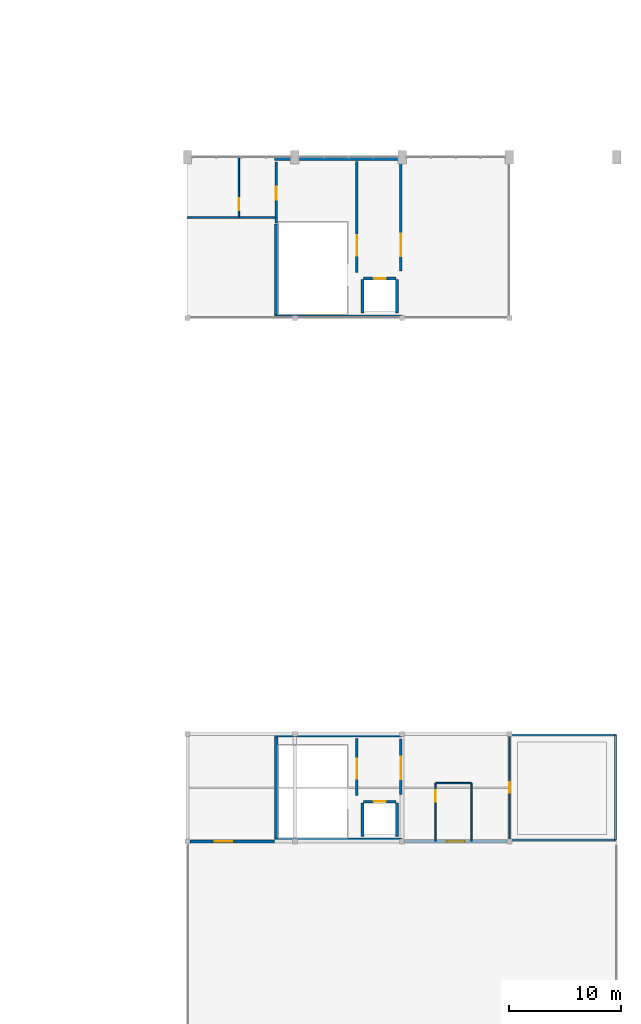
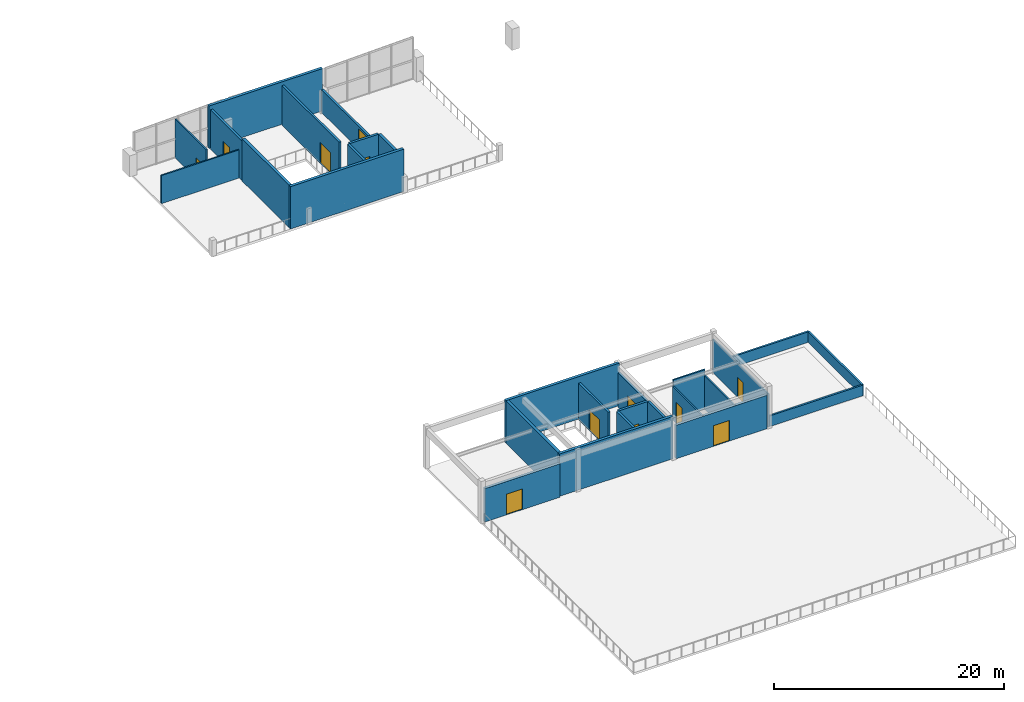
# One storey, part 16 of 22: 28 walls, 12 doors, 12 openings.
"""IFC4 building model written with IfcOpenShell, lengths in metres."""

import ifcopenshell
import ifcopenshell.guid

model = None  # the IFC model being written
_history = None  # IfcOwnerHistory: only IFC2X3 demands one
_inside = {}  # id of a spatial element -> (the spatial element, [elements in it])
_under = {}  # id of a project, library or spatial element -> (it, [spatial elements below it])
_declared = {}  # id of a project -> (the project, [libraries it declares])
_typed = {}  # id of a type object -> (the type object, [elements of that type])
_made_of = {}  # id of a material, layer set ... -> (it, [elements and type objects made of it])


def new_model(schema):
    """Start an empty IFC model of exactly this schema.

    Asked for "IFC4X3", IfcOpenShell would pick the latest addendum, in which some entities
    have other attributes; the version numbers below select the first issue.
    IFC2X3 requires an IfcOwnerHistory on every rooted entity: one is made here for all.
    """
    global model, _history
    if schema == "IFC4X3":
        model = ifcopenshell.file(schema_version=(4, 3, 0, 0))
    else:
        model = ifcopenshell.file(schema=schema)
    _inside.clear()
    _under.clear()
    _declared.clear()
    _typed.clear()
    _made_of.clear()
    _history = None
    if model.schema == "IFC2X3":
        org = make("IfcOrganization", Name="unknown")
        user = make(
            "IfcPersonAndOrganization",
            ThePerson=make("IfcPerson", FamilyName="unknown"),
            TheOrganization=org,
        )
        app = make(
            "IfcApplication",
            ApplicationDeveloper=org,
            Version="unknown",
            ApplicationFullName="unknown",
            ApplicationIdentifier="unknown",
        )
        _history = make(
            "IfcOwnerHistory",
            OwningUser=user,
            OwningApplication=app,
            ChangeAction="ADDED",
            CreationDate=0,
        )
    return model


def make(cls, **values):
    """One entity of the class cls with the attributes given. An attribute that is None is left unset."""
    return model.create_entity(
        cls, **{name: value for name, value in values.items() if value is not None}
    )


def rooted(cls, **values):
    """An entity with a GlobalId (a new one), such as an element, a storey or a relation."""
    return make(cls, GlobalId=ifcopenshell.guid.new(), OwnerHistory=_history, **values)


def si_unit(unit_type, name, prefix=None):
    """IfcSIUnit, for example si_unit("LENGTHUNIT", "METRE", prefix="MILLI")."""
    return make("IfcSIUnit", UnitType=unit_type, Prefix=prefix, Name=name)


def assignment(units):
    """IfcUnitAssignment: the units of a project."""
    return None if units is None else make("IfcUnitAssignment", Units=units)


def point(xyz):
    """IfcCartesianPoint."""
    return None if xyz is None else make("IfcCartesianPoint", Coordinates=xyz)


def direction(xyz):
    """IfcDirection."""
    return None if xyz is None else make("IfcDirection", DirectionRatios=xyz)


def frame(location, z_axis=None, x_axis=None):
    """IfcAxis2Placement3D, a coordinate frame: its origin and axes. An axis left out is left unset."""
    return make(
        "IfcAxis2Placement3D",
        Location=point(location),
        Axis=direction(z_axis),
        RefDirection=direction(x_axis),
    )


def frame_2d(location, x_axis=None):
    """IfcAxis2Placement2D, a coordinate frame in the plane: its origin and x axis."""
    return make(
        "IfcAxis2Placement2D", Location=point(location), RefDirection=direction(x_axis)
    )


def origin():
    """The frame at (0, 0, 0) with its axes left unset."""
    return frame((0.0, 0.0, 0.0))


def place(relative_to, where):
    """IfcLocalPlacement: puts the frame where relative to a parent placement (None: the world)."""
    return make(
        "IfcLocalPlacement", PlacementRelTo=relative_to, RelativePlacement=where
    )


def context(
    kind, dimensions, precision=None, world=None, true_north=None, identifier=None
):
    """IfcGeometricRepresentationContext, for example the 3D "Model" context."""
    return make(
        "IfcGeometricRepresentationContext",
        ContextIdentifier=identifier,
        ContextType=kind,
        CoordinateSpaceDimension=dimensions,
        Precision=precision,
        WorldCoordinateSystem=world,
        TrueNorth=true_north,
    )


def subcontext(parent, identifier, kind, view, scale=None):
    """IfcGeometricRepresentationSubContext, for example "Body" below "Model"."""
    return make(
        "IfcGeometricRepresentationSubContext",
        ContextIdentifier=identifier,
        ContextType=kind,
        ParentContext=parent,
        TargetScale=scale,
        TargetView=view,
    )


def project(units=None, contexts=None):
    """IfcProject with its units and contexts."""
    return rooted(
        "IfcProject",
        Name="project",
        RepresentationContexts=contexts,
        UnitsInContext=assignment(units),
    )


def spatial(cls, under=None, at=None, **own):
    """A site, building, storey or space (cls), placed at a placement, below another one or the project."""
    s = rooted(cls, ObjectPlacement=at, **own)
    if under is not None:
        _under.setdefault(under.id(), (under, []))[1].append(s)
    return s


def profile(cls, at=None, kind="AREA", **sizes):
    """A parametric profile (cls). Its sizes go by their IFC names, for example OverallWidth=200.0."""
    return make(cls, ProfileType=kind, Position=at, **sizes)


def rectangle(**sizes):
    """IfcRectangleProfileDef."""
    return profile("IfcRectangleProfileDef", **sizes)


def extrude(swept, where, along, depth):
    """IfcExtrudedAreaSolid: the profile swept, set in the frame where, extruded along a direction by depth."""
    return make(
        "IfcExtrudedAreaSolid",
        SweptArea=swept,
        Position=where,
        ExtrudedDirection=direction(along),
        Depth=depth,
    )


def shape(context_of_items, identifier, shape_type, items):
    """IfcShapeRepresentation: the items that make up one representation, for example the "Body"."""
    return make(
        "IfcShapeRepresentation",
        ContextOfItems=context_of_items,
        RepresentationIdentifier=identifier,
        RepresentationType=shape_type,
        Items=items,
    )


def material(Name=None, Category=None):
    """IfcMaterial."""
    return make("IfcMaterial", Name=Name, Category=Category)


def layer(
    of_material, thickness, ventilated=None, Name=None, Category=None, Priority=None
):
    """IfcMaterialLayer: one layer of a wall or slab, of a material (None: an air gap)."""
    return make(
        "IfcMaterialLayer",
        Material=of_material,
        LayerThickness=thickness,
        IsVentilated=ventilated,
        Name=Name,
        Category=Category,
        Priority=Priority,
    )


def layer_set(layers, Name=None):
    """IfcMaterialLayerSet."""
    return make("IfcMaterialLayerSet", MaterialLayers=layers, LayerSetName=Name)


def made_of(thing, what):
    """Note that an element or type object is made of a material, layer set ...; save() writes the relation."""
    if what is not None:
        _made_of.setdefault(what.id(), (what, []))[1].append(thing)
    return thing


def type_object(cls, material=None, **own):
    """A type object (cls), such as IfcWallType, which elements share."""
    return made_of(rooted(cls, **own), material)


def element(
    cls,
    number,
    at=None,
    inside=None,
    cuts=None,
    type_object=None,
    material=None,
    context=None,
    identifier="Body",
    shape_type=None,
    held_by="IfcProductDefinitionShape",
    body=None,
    shapes=None,
    **own,
):
    """One element of the class cls, such as IfcWall. Its Tag is "e" and its number.

    at: its placement. inside: the storey or other place that contains it. cuts: it is an
    opening in that element (IfcRelVoidsElement). A single representation is given by context,
    identifier, shape_type and body (its items); several are given by shapes. held_by: the class
    of the entity that holds the representations. save() writes the other relations.
    """
    e = rooted(cls, Tag="e%d" % number, ObjectPlacement=at, **own)
    if body is not None:
        shapes = [shape(context, identifier, shape_type, body)]
    if shapes is not None:
        e.Representation = make(held_by, Representations=shapes)
    if inside is not None:
        _inside.setdefault(inside.id(), (inside, []))[1].append(e)
    if cuts is not None:
        rooted(
            "IfcRelVoidsElement", RelatingBuildingElement=cuts, RelatedOpeningElement=e
        )
    if type_object is not None:
        _typed.setdefault(type_object.id(), (type_object, []))[1].append(e)
    return made_of(e, material)


def fill(opening, filler):
    """IfcRelFillsElement: the door or window that sits in an opening."""
    return rooted(
        "IfcRelFillsElement",
        RelatingOpeningElement=opening,
        RelatedBuildingElement=filler,
    )


def aggregate(whole, parts):
    """IfcRelAggregates: a whole, such as a stair, and the parts it consists of."""
    return rooted("IfcRelAggregates", RelatingObject=whole, RelatedObjects=parts)


def save(model, path):
    """Write the relations noted so far, then the file.

    IfcRelAggregates (storeys below a building ...), IfcRelContainedInSpatialStructure (elements
    in a storey), IfcRelDefinesByType, IfcRelAssociatesMaterial and IfcRelDeclares: one each for
    every whole, place, type object, material and project.
    """
    for whole, parts in _under.values():
        aggregate(whole, parts)
    for where, things in _inside.values():
        rooted(
            "IfcRelContainedInSpatialStructure",
            RelatedElements=things,
            RelatingStructure=where,
        )
    for kind, things in _typed.values():
        rooted("IfcRelDefinesByType", RelatedObjects=things, RelatingType=kind)
    for what, things in _made_of.values():
        rooted("IfcRelAssociatesMaterial", RelatedObjects=things, RelatingMaterial=what)
    for by, libraries in _declared.values():
        rooted("IfcRelDeclares", RelatingContext=by, RelatedDefinitions=libraries)
    model.write(path)


model = new_model("IFC4")

# Units and contexts
model_context = context("Model", 3, precision=1e-05, world=origin(), true_north=direction((0.0, 1.0)))
body_context = subcontext(model_context, "Body", "Model", "MODEL_VIEW")
ifc_project = project(units=[si_unit("LENGTHUNIT", "METRE"), si_unit("AREAUNIT", "SQUARE_METRE"), si_unit("VOLUMEUNIT", "CUBIC_METRE"), si_unit("PLANEANGLEUNIT", "RADIAN"), si_unit("MASSUNIT", "GRAM", prefix="KILO")], contexts=[model_context])

# Site, building, storey
site_placement = place(None, origin())
site = spatial("IfcSite", under=ifc_project, at=site_placement, CompositionType="ELEMENT")
building_placement = place(site_placement, origin())
building = spatial("IfcBuilding", under=site, at=building_placement, Name="Suirenkawa Promenade Aquatics Centre", CompositionType="ELEMENT")
storey_placement = place(building_placement, frame((0.0, 0.0, 14.10009765625)))
storey = spatial("IfcBuildingStorey", under=building, at=storey_placement, Name="L03", CompositionType="ELEMENT", Elevation=14.10009765625)

# Walls
ifc_material_1 = material(Name="Concrete M40", Category="concrete")
ifc_layer_1 = layer(ifc_material_1, 0.280029296875, Name="Concrete M40", Category="concrete")
ifc_layer_set_1 = layer_set([ifc_layer_1], Name="Concrete M40")
wall_type_1 = type_object("IfcWallType", Name="WT-CORE-280", PredefinedType="SHEAR", material=ifc_layer_set_1)
for number, where, z_axis, x_axis, name in (
    (1, (163.800048828125, 86.5400390625, 0.0), (0.0, 0.0, 1.0), (1.0, 0.0, 0.0), "C5 south core wall WL-CORE-02 W-0149"),
    (2, (163.800048828125, 100.659912109375, 0.0), (0.0, 0.0, 1.0), (1.0, 0.0, 0.0), "C5 north core wall WL-CORE-02 W-0150"),
):
    element("IfcWall", number, at=place(storey_placement, frame(where, z_axis=z_axis, x_axis=x_axis)), inside=storey, type_object=wall_type_1, Name=name, PredefinedType="SHEAR", context=body_context, shape_type="SweptSolid", body=[
        extrude(rectangle(XDim=11.39990234375, YDim=0.280029296875, at=frame_2d((5.699951171875, 0.0))), origin(), (0.0, 0.0, 1.0), 4.5),
    ])
wall_1_placement = place(storey_placement, frame((163.93994140625, 86.679931640625, 0.0), z_axis=(0.0, 0.0, 1.0), x_axis=(0.0, 1.0, 0.0)))
element("IfcWall", 3, at=wall_1_placement, inside=storey, type_object=wall_type_1, Name="C5 west core wall WL-CORE-02 W-0151", PredefinedType="SHEAR", context=body_context, shape_type="SweptSolid", body=[
    extrude(rectangle(XDim=8.1201171875, YDim=0.280029296875, at=frame_2d((4.06005859375, 0.0))), origin(), (0.0, 0.0, 1.0), 4.5),
])
for number, where, z_axis, x_axis, name in (
    (4, (163.800048828125, 39.739990234375, 0.0), (0.0, 0.0, 1.0), (1.0, 0.0, 0.0), "C6 south core wall WL-CORE-02 W-0164"),
    (5, (163.800048828125, 49.06005859375, 0.0), (0.0, 0.0, 1.0), (1.0, 0.0, 0.0), "C6 north core wall WL-CORE-02 W-0165"),
):
    element("IfcWall", number, at=place(storey_placement, frame(where, z_axis=z_axis, x_axis=x_axis)), inside=storey, type_object=wall_type_1, Name=name, PredefinedType="SHEAR", context=body_context, shape_type="SweptSolid", body=[
        extrude(rectangle(XDim=11.39990234375, YDim=0.280029296875, at=frame_2d((5.699951171875, 0.0))), origin(), (0.0, 0.0, 1.0), 4.5),
    ])
wall_2_placement = place(storey_placement, frame((163.93994140625, 39.8798828125, 0.0), z_axis=(0.0, 0.0, 1.0), x_axis=(0.0, 1.0, 0.0)))
element("IfcWall", 6, at=wall_2_placement, inside=storey, type_object=wall_type_1, Name="C6 west core wall WL-CORE-02 W-0166", PredefinedType="SHEAR", context=body_context, shape_type="SweptSolid", body=[
    extrude(rectangle(XDim=9.0400390625, YDim=0.280029296875, at=frame_2d((4.52001953125, 0.0))), origin(), (0.0, 0.0, 1.0), 4.5),
])

# Wall, opening, door
ifc_layer_2 = layer(ifc_material_1, 0.27001953125, Name="Concrete M40", Category="concrete")
ifc_layer_set_2 = layer_set([ifc_layer_2], Name="Concrete M40")
wall_type_2 = type_object("IfcWallType", Name="WT-EXT-270", PredefinedType="SOLIDWALL", material=ifc_layer_set_2)
wall_3_placement = place(storey_placement, frame((163.794921875, 39.60009765625, 0.0), z_axis=(0.0, 0.0, 1.0), x_axis=(-1.0, 0.0, 0.0)))
wall_3 = element("IfcWall", 7, at=wall_3_placement, inside=storey, type_object=wall_type_2, Name="Exterior wall WL-EXT-04 W-5051", PredefinedType="SOLIDWALL", context=body_context, shape_type="SweptSolid", body=[
    extrude(rectangle(XDim=7.56494140625, YDim=0.27001953125, at=frame_2d((3.782470703125, 0.0))), origin(), (0.0, 0.0, 1.0), 3.5498046875),
])
opening_1_placement = place(wall_3_placement, frame((3.77001953125, 0.0, 0.0)))
opening_1 = element("IfcOpeningElement", 8, at=opening_1_placement, cuts=wall_3, Name="Opening ED-08", PredefinedType="OPENING", context=body_context, shape_type="SweptSolid", body=[
    extrude(rectangle(XDim=1.60009765625, YDim=2.199951171875, at=frame_2d((0.800048828125, 1.10009765625))), frame((0.0, 0.14501953125, 0.0), z_axis=(0.0, -1.0, 0.0), x_axis=(1.0, 0.0, 0.0)), (0.0, 0.0, 1.0), 0.2900390625),
])
ifc_material_2 = material(Name="Anodised aluminium 6063-T6", Category="aluminium")
door_type_1 = type_object("IfcDoorType", Name="DT-EXT-TERR-1600x2200", OperationType="DOUBLE_DOOR_SINGLE_SWING", PredefinedType="DOOR", material=ifc_material_2)
door_1_placement = place(opening_1_placement, origin())
door_1 = element("IfcDoor", 9, at=door_1_placement, inside=storey, type_object=door_type_1, Name="Exterior door ED-08 DR-EXT-032", OperationType="DOUBLE_DOOR_SINGLE_SWING", OverallHeight=2.199951171875, OverallWidth=1.60009765625, PredefinedType="DOOR", context=body_context, shape_type="SweptSolid", body=[
    extrude(rectangle(XDim=1.60009765625, YDim=2.199951171875, at=frame_2d((0.800048828125, 1.10009765625))), frame((0.0, 0.02490234375, 0.0), z_axis=(0.0, -1.0, 0.0), x_axis=(1.0, 0.0, 0.0)), (0.0, 0.0, 1.0), 0.050048828125),
])
fill(opening_1, door_1)

wall_4_placement = place(storey_placement, frame((184.570068359375, 39.60009765625, 0.0), z_axis=(0.0, 0.0, 1.0), x_axis=(-1.0, 0.0, 0.0)))
wall_4 = element("IfcWall", 10, at=wall_4_placement, inside=storey, type_object=wall_type_2, Name="Exterior wall WL-EXT-04 W-5058", PredefinedType="SOLIDWALL", context=body_context, shape_type="SweptSolid", body=[
    extrude(rectangle(XDim=9.14013671875, YDim=0.27001953125, at=frame_2d((4.570068359375, 0.0))), origin(), (0.0, 0.0, 1.0), 3.5498046875),
])
opening_2_placement = place(wall_4_placement, frame((3.77001953125, 0.0, 0.0)))
opening_2 = element("IfcOpeningElement", 11, at=opening_2_placement, cuts=wall_4, Name="Opening ED-08", PredefinedType="OPENING", context=body_context, shape_type="SweptSolid", body=[
    extrude(rectangle(XDim=1.60009765625, YDim=2.199951171875, at=frame_2d((0.800048828125, 1.10009765625))), frame((0.0, 0.14501953125, 0.0), z_axis=(0.0, -1.0, 0.0), x_axis=(1.0, 0.0, 0.0)), (0.0, 0.0, 1.0), 0.2900390625),
])
door_2_placement = place(opening_2_placement, origin())
door_2 = element("IfcDoor", 12, at=door_2_placement, inside=storey, type_object=door_type_1, Name="Exterior door ED-08 DR-EXT-036", OperationType="DOUBLE_DOOR_SINGLE_SWING", OverallHeight=2.199951171875, OverallWidth=1.60009765625, PredefinedType="DOOR", context=body_context, shape_type="SweptSolid", body=[
    extrude(rectangle(XDim=1.60009765625, YDim=2.199951171875, at=frame_2d((0.800048828125, 1.10009765625))), frame((0.0, 0.02490234375, 0.0), z_axis=(0.0, -1.0, 0.0), x_axis=(1.0, 0.0, 0.0)), (0.0, 0.0, 1.0), 0.050048828125),
])
fill(opening_2, door_2)

ifc_material_3 = material(Name="Concrete M35", Category="concrete")
ifc_layer_3 = layer(ifc_material_3, 0.219970703125, Name="Concrete M35", Category="concrete")
ifc_layer_set_3 = layer_set([ifc_layer_3], Name="Concrete M35")
wall_type_3 = type_object("IfcWallType", Name="WT-LOBBY-220", PredefinedType="PARTITIONING", material=ifc_layer_set_3)
wall_5_placement = place(storey_placement, frame((171.14990234375, 90.5, 0.0), z_axis=(0.0, 0.0, 1.0), x_axis=(0.0, 1.0, 0.0)))
wall_5 = element("IfcWall", 13, at=wall_5_placement, inside=storey, type_object=wall_type_3, Name="Interior wall WL-LOB-01 W-7125", PredefinedType="PARTITIONING", context=body_context, shape_type="SweptSolid", body=[
    extrude(rectangle(XDim=9.89990234375, YDim=0.219970703125, at=frame_2d((4.949951171875, 0.0))), origin(), (0.0, 0.0, 1.0), 4.204833984375),
])
opening_3_placement = place(wall_5_placement, frame((1.5, 0.0, 0.0)))
opening_3 = element("IfcOpeningElement", 14, at=opening_3_placement, cuts=wall_5, Name="Opening ID-02", PredefinedType="OPENING", context=body_context, shape_type="SweptSolid", body=[
    extrude(rectangle(XDim=1.800048828125, YDim=2.199951171875, at=frame_2d((0.89990234375, 1.10009765625))), frame((0.0, 0.119873046875, 0.0), z_axis=(0.0, -1.0, 0.0), x_axis=(1.0, 0.0, 0.0)), (0.0, 0.0, 1.0), 0.239990234375),
])
ifc_material_4 = material(Name="Steel IS 2062 E350 (Grade 350)", Category="steel")
door_type_2 = type_object("IfcDoorType", Name="DT-FD120-1800x2200", OperationType="DOUBLE_DOOR_SINGLE_SWING", PredefinedType="DOOR", material=ifc_material_4)
door_3_placement = place(opening_3_placement, origin())
door_3 = element("IfcDoor", 15, at=door_3_placement, inside=storey, type_object=door_type_2, Name="Interior door ID-02 DR-INT-0081", OperationType="DOUBLE_DOOR_SINGLE_SWING", OverallHeight=2.199951171875, OverallWidth=1.800048828125, PredefinedType="DOOR", context=body_context, shape_type="SweptSolid", body=[
    extrude(rectangle(XDim=1.800048828125, YDim=2.199951171875, at=frame_2d((0.89990234375, 1.10009765625))), frame((0.0, 0.02490234375, 0.0), z_axis=(0.0, -1.0, 0.0), x_axis=(1.0, 0.0, 0.0)), (0.0, 0.0, 1.0), 0.050048828125),
])
fill(opening_3, door_3)

wall_6_placement = place(storey_placement, frame((175.090087890625, 90.60009765625, 0.0), z_axis=(0.0, 0.0, 1.0), x_axis=(0.0, 1.0, 0.0)))
wall_6 = element("IfcWall", 16, at=wall_6_placement, inside=storey, type_object=wall_type_3, Name="Interior wall WL-LOB-01 W-7129", PredefinedType="PARTITIONING", context=body_context, shape_type="SweptSolid", body=[
    extrude(rectangle(XDim=9.75, YDim=0.219970703125, at=frame_2d((4.875, 0.0))), origin(), (0.0, 0.0, 1.0), 2.431884765625),
])
opening_4_placement = place(wall_6_placement, frame((1.35009765625, 0.0, 0.0)))
opening_4 = element("IfcOpeningElement", 17, at=opening_4_placement, cuts=wall_6, Name="Opening ID-01", PredefinedType="OPENING", context=body_context, shape_type="SweptSolid", body=[
    extrude(rectangle(XDim=2.0, YDim=2.199951171875, at=frame_2d((1.0, 1.10009765625))), frame((0.0, 0.119873046875, 0.0), z_axis=(0.0, -1.0, 0.0), x_axis=(1.0, 0.0, 0.0)), (0.0, 0.0, 1.0), 0.239990234375),
])
door_type_3 = type_object("IfcDoorType", Name="DT-FD120-2000x2200", OperationType="DOUBLE_DOOR_SINGLE_SWING", PredefinedType="DOOR", material=ifc_material_4)
door_4_placement = place(opening_4_placement, origin())
door_4 = element("IfcDoor", 18, at=door_4_placement, inside=storey, type_object=door_type_3, Name="Interior door ID-01 DR-INT-0083", OperationType="DOUBLE_DOOR_SINGLE_SWING", OverallHeight=2.199951171875, OverallWidth=2.0, PredefinedType="DOOR", context=body_context, shape_type="SweptSolid", body=[
    extrude(rectangle(XDim=2.0, YDim=2.199951171875, at=frame_2d((1.0, 1.10009765625))), frame((0.0, 0.02490234375, 0.0), z_axis=(0.0, -1.0, 0.0), x_axis=(1.0, 0.0, 0.0)), (0.0, 0.0, 1.0), 0.050048828125),
])
fill(opening_4, door_4)

wall_7_placement = place(storey_placement, frame((163.93994140625, 94.89990234375, 0.0), z_axis=(0.0, 0.0, 1.0), x_axis=(0.0, 1.0, 0.0)))
wall_7 = element("IfcWall", 19, at=wall_7_placement, inside=storey, type_object=wall_type_3, Name="Interior wall WL-LOB-01 W-7130", PredefinedType="PARTITIONING", context=body_context, shape_type="SweptSolid", body=[
    extrude(rectangle(XDim=5.4501953125, YDim=0.219970703125, at=frame_2d((2.72509765625, 0.0))), origin(), (0.0, 0.0, 1.0), 4.204833984375),
])
opening_5_placement = place(wall_7_placement, frame((2.10009765625, 0.0, 0.0)))
opening_5 = element("IfcOpeningElement", 20, at=opening_5_placement, cuts=wall_7, Name="Opening ID-03", PredefinedType="OPENING", context=body_context, shape_type="SweptSolid", body=[
    extrude(rectangle(XDim=1.14990234375, YDim=2.199951171875, at=frame_2d((0.574951171875, 1.10009765625))), frame((0.0, 0.119873046875, 0.0), z_axis=(0.0, -1.0, 0.0), x_axis=(1.0, 0.0, 0.0)), (0.0, 0.0, 1.0), 0.239990234375),
])
door_type_4 = type_object("IfcDoorType", Name="DT-FD120-1150x2200", OperationType="NOTDEFINED", PredefinedType="DOOR", material=ifc_material_4)
door_5_placement = place(opening_5_placement, origin())
door_5 = element("IfcDoor", 21, at=door_5_placement, inside=storey, type_object=door_type_4, Name="Interior door ID-03 DR-INT-0084", OperationType="SINGLE_SWING_LEFT", OverallHeight=2.199951171875, OverallWidth=1.14990234375, PredefinedType="DOOR", context=body_context, shape_type="SweptSolid", body=[
    extrude(rectangle(XDim=1.14990234375, YDim=2.199951171875, at=frame_2d((0.574951171875, 1.10009765625))), frame((0.0, 0.02490234375, 0.0), z_axis=(0.0, -1.0, 0.0), x_axis=(1.0, 0.0, 0.0)), (0.0, 0.0, 1.0), 0.050048828125),
])
fill(opening_5, door_5)

wall_8_placement = place(storey_placement, frame((171.14990234375, 43.699951171875, 0.0), z_axis=(0.0, 0.0, 1.0), x_axis=(0.0, 1.0, 0.0)))
wall_8 = element("IfcWall", 22, at=wall_8_placement, inside=storey, type_object=wall_type_3, Name="Interior wall WL-LOB-01 W-7146", PredefinedType="PARTITIONING", context=body_context, shape_type="SweptSolid", body=[
    extrude(rectangle(XDim=5.10009765625, YDim=0.219970703125, at=frame_2d((2.550048828125, 0.0))), origin(), (0.0, 0.0, 1.0), 3.90283203125),
])
opening_6_placement = place(wall_8_placement, frame((1.5, 0.0, 0.0)))
opening_6 = element("IfcOpeningElement", 23, at=opening_6_placement, cuts=wall_8, Name="Opening ID-02", PredefinedType="OPENING", context=body_context, shape_type="SweptSolid", body=[
    extrude(rectangle(XDim=1.800048828125, YDim=2.199951171875, at=frame_2d((0.89990234375, 1.10009765625))), frame((0.0, 0.119873046875, 0.0), z_axis=(0.0, -1.0, 0.0), x_axis=(1.0, 0.0, 0.0)), (0.0, 0.0, 1.0), 0.239990234375),
])
door_6_placement = place(opening_6_placement, origin())
door_6 = element("IfcDoor", 24, at=door_6_placement, inside=storey, type_object=door_type_2, Name="Interior door ID-02 DR-INT-0094", OperationType="DOUBLE_DOOR_SINGLE_SWING", OverallHeight=2.199951171875, OverallWidth=1.800048828125, PredefinedType="DOOR", context=body_context, shape_type="SweptSolid", body=[
    extrude(rectangle(XDim=1.800048828125, YDim=2.199951171875, at=frame_2d((0.89990234375, 1.10009765625))), frame((0.0, 0.02490234375, 0.0), z_axis=(0.0, -1.0, 0.0), x_axis=(1.0, 0.0, 0.0)), (0.0, 0.0, 1.0), 0.050048828125),
])
fill(opening_6, door_6)

wall_9_placement = place(storey_placement, frame((175.090087890625, 43.800048828125, 0.0), z_axis=(0.0, 0.0, 1.0), x_axis=(0.0, 1.0, 0.0)))
wall_9 = element("IfcWall", 25, at=wall_9_placement, inside=storey, type_object=wall_type_3, Name="Interior wall WL-LOB-01 W-7150", PredefinedType="PARTITIONING", context=body_context, shape_type="SweptSolid", body=[
    extrude(rectangle(XDim=4.949951171875, YDim=0.219970703125, at=frame_2d((2.47509765625, 0.0))), origin(), (0.0, 0.0, 1.0), 3.65478515625),
])
opening_7_placement = place(wall_9_placement, frame((1.35009765625, 0.0, 0.0)))
opening_7 = element("IfcOpeningElement", 26, at=opening_7_placement, cuts=wall_9, Name="Opening ID-01", PredefinedType="OPENING", context=body_context, shape_type="SweptSolid", body=[
    extrude(rectangle(XDim=2.0, YDim=2.199951171875, at=frame_2d((1.0, 1.10009765625))), frame((0.0, 0.119873046875, 0.0), z_axis=(0.0, -1.0, 0.0), x_axis=(1.0, 0.0, 0.0)), (0.0, 0.0, 1.0), 0.239990234375),
])
door_7_placement = place(opening_7_placement, origin())
door_7 = element("IfcDoor", 27, at=door_7_placement, inside=storey, type_object=door_type_3, Name="Interior door ID-01 DR-INT-0096", OperationType="DOUBLE_DOOR_SINGLE_SWING", OverallHeight=2.199951171875, OverallWidth=2.0, PredefinedType="DOOR", context=body_context, shape_type="SweptSolid", body=[
    extrude(rectangle(XDim=2.0, YDim=2.199951171875, at=frame_2d((1.0, 1.10009765625))), frame((0.0, 0.02490234375, 0.0), z_axis=(0.0, -1.0, 0.0), x_axis=(1.0, 0.0, 0.0)), (0.0, 0.0, 1.0), 0.050048828125),
])
fill(opening_7, door_7)

# Walls
ifc_layer_4 = layer(ifc_material_1, 0.18994140625, Name="Concrete M40", Category="concrete")
ifc_layer_set_4 = layer_set([ifc_layer_4], Name="Concrete M40")
wall_type_4 = type_object("IfcWallType", Name="WT-PARAPET-190", PredefinedType="PARAPET", material=ifc_layer_set_4)
wall_10_placement = place(storey_placement, frame((184.89990234375, 39.719970703125, 0.0), z_axis=(0.0, 0.0, 1.0), x_axis=(1.0, 0.0, 0.0)))
element("IfcWall", 28, at=wall_10_placement, inside=storey, type_object=wall_type_4, Name="Setback roof parapet WL-PAR-02 W-5136", PredefinedType="PARAPET", context=body_context, shape_type="SweptSolid", body=[
    extrude(rectangle(XDim=9.400146484375, YDim=0.18994140625, at=frame_2d((4.7001953125, 0.0))), origin(), (0.0, 0.0, 1.0), 1.119873046875),
])
wall_11_placement = place(storey_placement, frame((194.300048828125, 39.719970703125, 0.0), z_axis=(0.0, 0.0, 1.0), x_axis=(0.0, 1.0, 0.0)))
element("IfcWall", 29, at=wall_11_placement, inside=storey, type_object=wall_type_4, Name="Setback roof parapet WL-PAR-02 W-5137", PredefinedType="PARAPET", context=body_context, shape_type="SweptSolid", body=[
    extrude(rectangle(XDim=9.380126953125, YDim=0.18994140625, at=frame_2d((4.68994140625, 0.0))), origin(), (0.0, 0.0, 1.0), 1.119873046875),
])
wall_12_placement = place(storey_placement, frame((194.300048828125, 49.10009765625, 0.0), z_axis=(0.0, 0.0, 1.0), x_axis=(-1.0, 0.0, 0.0)))
element("IfcWall", 30, at=wall_12_placement, inside=storey, type_object=wall_type_4, Name="Setback roof parapet WL-PAR-02 W-5138", PredefinedType="PARAPET", context=body_context, shape_type="SweptSolid", body=[
    extrude(rectangle(XDim=9.400146484375, YDim=0.18994140625, at=frame_2d((4.7001953125, 0.0))), origin(), (0.0, 0.0, 1.0), 1.119873046875),
])

# Wall, opening, door
ifc_layer_5 = layer(ifc_material_1, 0.239990234375, Name="Concrete M40", Category="concrete")
ifc_layer_set_5 = layer_set([ifc_layer_5], Name="Concrete M40")
wall_type_5 = type_object("IfcWallType", Name="WT-SHAFT-240", PredefinedType="SOLIDWALL", material=ifc_layer_set_5)
wall_13_placement = place(storey_placement, frame((171.75, 89.949951171875, 0.0), z_axis=(0.0, 0.0, 1.0), x_axis=(1.0, 0.0, 0.0)))
wall_13 = element("IfcWall", 31, at=wall_13_placement, inside=storey, type_object=wall_type_5, Name="Interior wall WL-SHF-01 W-7126", PredefinedType="SOLIDWALL", context=body_context, shape_type="SweptSolid", body=[
    extrude(rectangle(XDim=2.89990234375, YDim=0.239990234375, at=frame_2d((1.449951171875, 0.0))), origin(), (0.0, 0.0, 1.0), 4.204833984375),
])
opening_8_placement = place(wall_13_placement, frame((0.89990234375, 0.0, 0.0)))
opening_8 = element("IfcOpeningElement", 32, at=opening_8_placement, cuts=wall_13, Name="Opening LD-01", PredefinedType="OPENING", context=body_context, shape_type="SweptSolid", body=[
    extrude(rectangle(XDim=1.10009765625, YDim=2.14990234375, at=frame_2d((0.550048828125, 1.074951171875))), frame((0.0, 0.1298828125, 0.0), z_axis=(0.0, -1.0, 0.0), x_axis=(1.0, 0.0, 0.0)), (0.0, 0.0, 1.0), 0.260009765625),
])
ifc_material_5 = material(Name="Marine-grade stainless steel Grade 316L", Category="steel")
door_type_5 = type_object("IfcDoorType", Name="DT-LIFT-1100x2150", OperationType="DOUBLE_DOOR_SLIDING", PredefinedType="DOOR", material=ifc_material_5)
door_8_placement = place(opening_8_placement, origin())
door_8 = element("IfcDoor", 33, at=door_8_placement, inside=storey, type_object=door_type_5, Name="Landing door LD-01 DR-INT-0082", OperationType="DOUBLE_DOOR_SLIDING", OverallHeight=2.14990234375, OverallWidth=1.10009765625, PredefinedType="DOOR", context=body_context, shape_type="SweptSolid", body=[
    extrude(rectangle(XDim=1.10009765625, YDim=2.14990234375, at=frame_2d((0.550048828125, 1.074951171875))), frame((0.0, 0.02490234375, 0.0), z_axis=(0.0, -1.0, 0.0), x_axis=(1.0, 0.0, 0.0)), (0.0, 0.0, 1.0), 0.050048828125),
])
fill(opening_8, door_8)

# Walls
for number, where, z_axis, x_axis, name in (
    (34, (171.64990234375, 86.85009765625, 0.0), (0.0, 0.0, 1.0), (0.0, 1.0, 0.0), "Interior wall WL-SHF-01 W-7127"),
    (35, (174.75, 86.85009765625, 0.0), (0.0, 0.0, 1.0), (0.0, 1.0, 0.0), "Interior wall WL-SHF-01 W-7128"),
):
    element("IfcWall", number, at=place(storey_placement, frame(where, z_axis=z_axis, x_axis=x_axis)), inside=storey, type_object=wall_type_5, Name=name, PredefinedType="SOLIDWALL", context=body_context, shape_type="SweptSolid", body=[
        extrude(rectangle(XDim=3.0, YDim=0.239990234375, at=frame_2d((1.5, 0.0))), origin(), (0.0, 0.0, 1.0), 4.204833984375),
    ])

# Wall, opening, door
wall_14_placement = place(storey_placement, frame((171.75, 43.14990234375, 0.0), z_axis=(0.0, 0.0, 1.0), x_axis=(1.0, 0.0, 0.0)))
wall_14 = element("IfcWall", 36, at=wall_14_placement, inside=storey, type_object=wall_type_5, Name="Interior wall WL-SHF-01 W-7147", PredefinedType="SOLIDWALL", context=body_context, shape_type="SweptSolid", body=[
    extrude(rectangle(XDim=2.89990234375, YDim=0.239990234375, at=frame_2d((1.449951171875, 0.0))), origin(), (0.0, 0.0, 1.0), 4.204833984375),
])
opening_9_placement = place(wall_14_placement, frame((0.89990234375, 0.0, 0.0)))
opening_9 = element("IfcOpeningElement", 37, at=opening_9_placement, cuts=wall_14, Name="Opening LD-01", PredefinedType="OPENING", context=body_context, shape_type="SweptSolid", body=[
    extrude(rectangle(XDim=1.10009765625, YDim=2.14990234375, at=frame_2d((0.550048828125, 1.074951171875))), frame((0.0, 0.1298828125, 0.0), z_axis=(0.0, -1.0, 0.0), x_axis=(1.0, 0.0, 0.0)), (0.0, 0.0, 1.0), 0.260009765625),
])
door_9_placement = place(opening_9_placement, origin())
door_9 = element("IfcDoor", 38, at=door_9_placement, inside=storey, type_object=door_type_5, Name="Landing door LD-01 DR-INT-0095", OperationType="DOUBLE_DOOR_SLIDING", OverallHeight=2.14990234375, OverallWidth=1.10009765625, PredefinedType="DOOR", context=body_context, shape_type="SweptSolid", body=[
    extrude(rectangle(XDim=1.10009765625, YDim=2.14990234375, at=frame_2d((0.550048828125, 1.074951171875))), frame((0.0, 0.02490234375, 0.0), z_axis=(0.0, -1.0, 0.0), x_axis=(1.0, 0.0, 0.0)), (0.0, 0.0, 1.0), 0.050048828125),
])
fill(opening_9, door_9)

# Walls
for number, where, z_axis, x_axis, name in (
    (39, (171.64990234375, 40.050048828125, 0.0), (0.0, 0.0, 1.0), (0.0, 1.0, 0.0), "Interior wall WL-SHF-01 W-7148"),
    (40, (174.75, 40.050048828125, 0.0), (0.0, 0.0, 1.0), (0.0, 1.0, 0.0), "Interior wall WL-SHF-01 W-7149"),
):
    element("IfcWall", number, at=place(storey_placement, frame(where, z_axis=z_axis, x_axis=x_axis)), inside=storey, type_object=wall_type_5, Name=name, PredefinedType="SOLIDWALL", context=body_context, shape_type="SweptSolid", body=[
        extrude(rectangle(XDim=3.0, YDim=0.239990234375, at=frame_2d((1.5, 0.0))), origin(), (0.0, 0.0, 1.0), 4.204833984375),
    ])
ifc_material_6 = material(Name="Moisture-resistant acoustic gypsum board")
ifc_layer_6 = layer(ifc_material_6, 0.139892578125, Name="Moisture-resistant acoustic gypsum board")
ifc_layer_set_6 = layer_set([ifc_layer_6], Name="Moisture-resistant acoustic gypsum board")
wall_type_6 = type_object("IfcWallType", Name="WT-STD-140", PredefinedType="PARTITIONING", material=ifc_layer_set_6)
wall_15_placement = place(storey_placement, frame((156.0, 95.39990234375, 0.0), z_axis=(0.0, 0.0, 1.0), x_axis=(1.0, 0.0, 0.0)))
element("IfcWall", 41, at=wall_15_placement, inside=storey, type_object=wall_type_6, Name="Interior wall WL-PRT-04 W-7342", PredefinedType="PARTITIONING", context=body_context, shape_type="SweptSolid", body=[
    extrude(rectangle(XDim=7.800048828125, YDim=0.139892578125, at=frame_2d((3.89990234375, 0.0))), origin(), (0.0, 0.0, 1.0), 2.98681640625),
])

# Wall, opening, door
wall_16_placement = place(storey_placement, frame((160.60009765625, 95.39990234375, 0.0), z_axis=(0.0, 0.0, 1.0), x_axis=(0.0, 1.0, 0.0)))
wall_16 = element("IfcWall", 42, at=wall_16_placement, inside=storey, type_object=wall_type_6, Name="Interior wall WL-PRT-04 W-7343", PredefinedType="PARTITIONING", context=body_context, shape_type="SweptSolid", body=[
    extrude(rectangle(XDim=5.400146484375, YDim=0.139892578125, at=frame_2d((2.7001953125, 0.0))), origin(), (0.0, 0.0, 1.0), 4.10498046875),
])
opening_10_placement = place(wall_16_placement, frame((0.6630859375, 0.0, 0.0)))
opening_10 = element("IfcOpeningElement", 43, at=opening_10_placement, cuts=wall_16, Name="Opening ID-08", PredefinedType="OPENING", context=body_context, shape_type="SweptSolid", body=[
    extrude(rectangle(XDim=1.050048828125, YDim=2.199951171875, at=frame_2d((0.52490234375, 1.10009765625))), frame((0.0, 0.079833984375, 0.0), z_axis=(0.0, -1.0, 0.0), x_axis=(1.0, 0.0, 0.0)), (0.0, 0.0, 1.0), 0.159912109375),
])
door_type_6 = type_object("IfcDoorType", Name="DT-ACC-1050x2200", OperationType="NOTDEFINED", PredefinedType="DOOR", material=ifc_material_2)
door_10_placement = place(opening_10_placement, origin())
door_10 = element("IfcDoor", 44, at=door_10_placement, inside=storey, type_object=door_type_6, Name="Interior door ID-08 DR-INT-0201", OperationType="SINGLE_SWING_RIGHT", OverallHeight=2.199951171875, OverallWidth=1.050048828125, PredefinedType="DOOR", context=body_context, shape_type="SweptSolid", body=[
    extrude(rectangle(XDim=1.050048828125, YDim=2.199951171875, at=frame_2d((0.52490234375, 1.10009765625))), frame((0.0, 0.02490234375, 0.0), z_axis=(0.0, -1.0, 0.0), x_axis=(1.0, 0.0, 0.0)), (0.0, 0.0, 1.0), 0.050048828125),
])
fill(opening_10, door_10)

wall_17_placement = place(storey_placement, frame((178.199951171875, 39.60009765625, 0.0), z_axis=(0.0, 0.0, 1.0), x_axis=(0.0, 1.0, 0.0)))
wall_17 = element("IfcWall", 45, at=wall_17_placement, inside=storey, type_object=wall_type_6, Name="Interior wall WL-PRT-04 W-7388", PredefinedType="PARTITIONING", context=body_context, shape_type="SweptSolid", body=[
    extrude(rectangle(XDim=5.199951171875, YDim=0.139892578125, at=frame_2d((2.60009765625, 0.0))), origin(), (0.0, 0.0, 1.0), 3.554931640625),
])
opening_11_placement = place(wall_17_placement, frame((3.531005859375, 0.0, 0.0)))
opening_11 = element("IfcOpeningElement", 46, at=opening_11_placement, cuts=wall_17, Name="Opening ID-08", PredefinedType="OPENING", context=body_context, shape_type="SweptSolid", body=[
    extrude(rectangle(XDim=1.050048828125, YDim=2.199951171875, at=frame_2d((0.52490234375, 1.10009765625))), frame((0.0, 0.079833984375, 0.0), z_axis=(0.0, -1.0, 0.0), x_axis=(1.0, 0.0, 0.0)), (0.0, 0.0, 1.0), 0.159912109375),
])
door_11_placement = place(opening_11_placement, origin())
door_11 = element("IfcDoor", 47, at=door_11_placement, inside=storey, type_object=door_type_6, Name="Interior door ID-08 DR-INT-0226", OperationType="SINGLE_SWING_RIGHT", OverallHeight=2.199951171875, OverallWidth=1.050048828125, PredefinedType="DOOR", context=body_context, shape_type="SweptSolid", body=[
    extrude(rectangle(XDim=1.050048828125, YDim=2.199951171875, at=frame_2d((0.52490234375, 1.10009765625))), frame((0.0, 0.02490234375, 0.0), z_axis=(0.0, -1.0, 0.0), x_axis=(1.0, 0.0, 0.0)), (0.0, 0.0, 1.0), 0.050048828125),
])
fill(opening_11, door_11)

# Walls
wall_18_placement = place(storey_placement, frame((181.39990234375, 39.60009765625, 0.0), z_axis=(0.0, 0.0, 1.0), x_axis=(0.0, 1.0, 0.0)))
element("IfcWall", 48, at=wall_18_placement, inside=storey, type_object=wall_type_6, Name="Interior wall WL-PRT-04 W-7389", PredefinedType="PARTITIONING", context=body_context, shape_type="SweptSolid", body=[
    extrude(rectangle(XDim=5.199951171875, YDim=0.139892578125, at=frame_2d((2.60009765625, 0.0))), origin(), (0.0, 0.0, 1.0), 3.554931640625),
])
wall_19_placement = place(storey_placement, frame((178.199951171875, 44.800048828125, 0.0), z_axis=(0.0, 0.0, 1.0), x_axis=(1.0, 0.0, 0.0)))
element("IfcWall", 49, at=wall_19_placement, inside=storey, type_object=wall_type_6, Name="Interior wall WL-PRT-04 W-7390", PredefinedType="PARTITIONING", context=body_context, shape_type="SweptSolid", body=[
    extrude(rectangle(XDim=3.199951171875, YDim=0.139892578125, at=frame_2d((1.60009765625, 0.0))), origin(), (0.0, 0.0, 1.0), 4.204833984375),
])

# Wall, opening, door
wall_20_placement = place(storey_placement, frame((184.800048828125, 39.60009765625, 0.0), z_axis=(0.0, 0.0, 1.0), x_axis=(0.0, 1.0, 0.0)))
wall_20 = element("IfcWall", 50, at=wall_20_placement, inside=storey, type_object=wall_type_6, Name="Interior wall WL-PRT-04 W-7391", PredefinedType="PARTITIONING", context=body_context, shape_type="SweptSolid", body=[
    extrude(rectangle(XDim=9.599853515625, YDim=0.139892578125, at=frame_2d((4.7998046875, 0.0))), origin(), (0.0, 0.0, 1.0), 3.554931640625),
])
opening_12_placement = place(wall_20_placement, frame((4.324951171875, 0.0, 0.0)))
opening_12 = element("IfcOpeningElement", 51, at=opening_12_placement, cuts=wall_20, Name="Opening ID-11", PredefinedType="OPENING", context=body_context, shape_type="SweptSolid", body=[
    extrude(rectangle(XDim=0.949951171875, YDim=2.10009765625, at=frame_2d((0.47509765625, 1.050048828125))), frame((0.0, 0.079833984375, 0.0), z_axis=(0.0, -1.0, 0.0), x_axis=(1.0, 0.0, 0.0)), (0.0, 0.0, 1.0), 0.159912109375),
])
ifc_material_7 = material(Name="Engineered maple acoustic sports timber", Category="wood")
door_type_7 = type_object("IfcDoorType", Name="DT-STD-950x2100", OperationType="NOTDEFINED", PredefinedType="DOOR", material=ifc_material_7)
door_12_placement = place(opening_12_placement, origin())
door_12 = element("IfcDoor", 52, at=door_12_placement, inside=storey, type_object=door_type_7, Name="Interior door ID-11 DR-INT-0227", OperationType="SINGLE_SWING_LEFT", OverallHeight=2.10009765625, OverallWidth=0.949951171875, PredefinedType="DOOR", context=body_context, shape_type="SweptSolid", body=[
    extrude(rectangle(XDim=0.949951171875, YDim=2.10009765625, at=frame_2d((0.47509765625, 1.050048828125))), frame((0.0, 0.02490234375, 0.0), z_axis=(0.0, -1.0, 0.0), x_axis=(1.0, 0.0, 0.0)), (0.0, 0.0, 1.0), 0.050048828125),
])
fill(opening_12, door_12)

save(model, "model.ifc")
